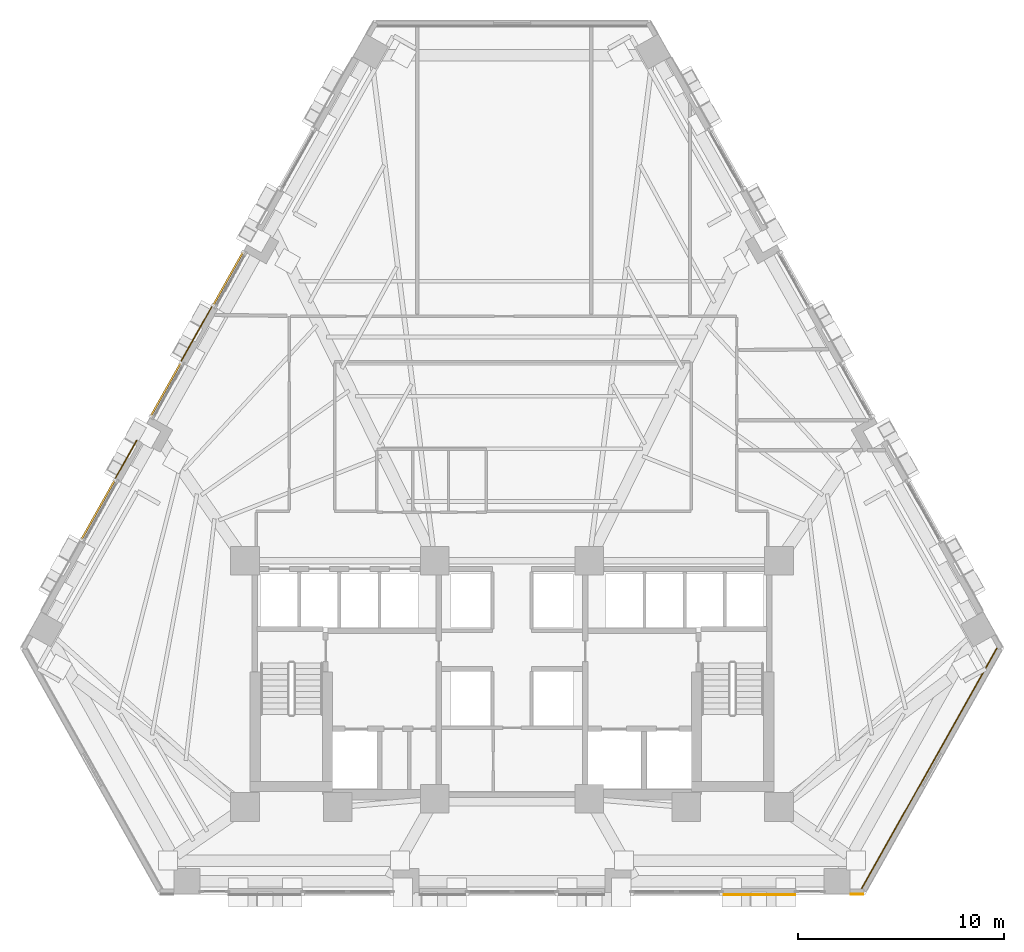
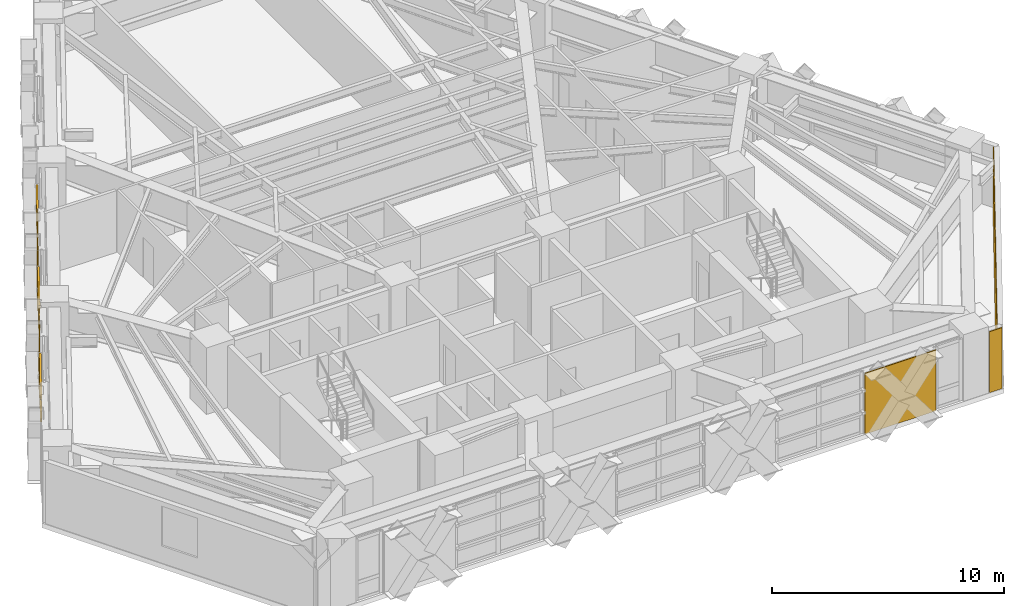
# One storey, part 12 of 14: 6 shading devices, 5 coverings.
"""IFC4 building model written with IfcOpenShell, lengths in metres."""

from ifc_helpers import new_model, si_unit, direction, frame, origin, origin_2d, place, context, subcontext, project, spatial, polyline, rectangle, outline, extrude, material, layer, layer_set, material_profile, profile_set, type_object, element, save


model = new_model("IFC4")

# Units and contexts
model_context = context("Model", 3, precision=1e-05, world=origin(), true_north=direction((0.0, 1.0)))
body_context = subcontext(model_context, "Body", "Model", "MODEL_VIEW")
ifc_project = project(units=[si_unit("LENGTHUNIT", "METRE"), si_unit("AREAUNIT", "SQUARE_METRE"), si_unit("VOLUMEUNIT", "CUBIC_METRE"), si_unit("PLANEANGLEUNIT", "RADIAN"), si_unit("MASSUNIT", "GRAM", prefix="KILO")], contexts=[model_context])

# Site, building, storey
site_placement = place(None, origin())
site = spatial("IfcSite", under=ifc_project, at=site_placement, CompositionType="ELEMENT")
building_placement = place(site_placement, origin())
building = spatial("IfcBuilding", under=site, at=building_placement, Name="Quenlor Broadcast Tower", CompositionType="ELEMENT")
storey_placement = place(building_placement, frame((0.0, 0.0, 73.10009765625)))
storey = spatial("IfcBuildingStorey", under=building, at=storey_placement, Name="L19", CompositionType="ELEMENT", Elevation=73.10009765625)

# Shading devices
ifc_material_1 = material(Name="Architectural Terracotta Ceramic", Category="masonry")
ifc_material_profile = material_profile(ifc_material_1, rectangle(XDim=0.090087890625, YDim=0.139892578125, at=origin_2d()))
ifc_profile_set = profile_set([ifc_material_profile], Name="Architectural Terracotta Ceramic BAG90x140")
shading_device_type = type_object("IfcShadingDeviceType", Name="Copper Terracotta Baguette Solar Screen 140", PredefinedType="USERDEFINED", material=ifc_profile_set)
for number, where, z_axis, x_axis, name in (
    (1, (-20.889404296875, -3.771484375, 1.169921875), (0.490289331496, 0.871559734855, 0.0), (-0.871559734855, 0.490289331496, 0.0), "L19 Terracotta Baguette Screen 1"),
    (2, (-20.889404296875, -3.771484375, 2.33984375), (0.490289331496, 0.871559734855, 0.0), (-0.871559734855, 0.490289331496, 0.0), "L19 Terracotta Baguette Screen 2"),
):
    element("IfcShadingDevice", number, at=place(storey_placement, frame(where, z_axis=z_axis, x_axis=x_axis)), inside=storey, type_object=shading_device_type, Name=name, ObjectType="BAGUETTE", PredefinedType="USERDEFINED", context=body_context, shape_type="SweptSolid", body=[
        extrude(rectangle(XDim=0.090087890625, YDim=0.139892578125, at=origin_2d()), origin(), (0.0, 0.0, 1.0), 3.301025390625),
    ])
for number, where, z_axis, x_axis, name in (
    (3, (-17.519775390625, 2.21923828125, 1.169921875), (0.490339873784, 0.871531300744, 0.0), (-0.871531300744, 0.490339873784, 0.0), "L19 Terracotta Baguette Screen 1"),
    (4, (-17.519775390625, 2.21923828125, 2.33984375), (0.490339873784, 0.871531300744, 0.0), (-0.871531300744, 0.490339873784, 0.0), "L19 Terracotta Baguette Screen 2"),
):
    element("IfcShadingDevice", number, at=place(storey_placement, frame(where, z_axis=z_axis, x_axis=x_axis)), inside=storey, type_object=shading_device_type, Name=name, ObjectType="BAGUETTE", PredefinedType="USERDEFINED", context=body_context, shape_type="SweptSolid", body=[
        extrude(rectangle(XDim=0.090087890625, YDim=0.139892578125, at=origin_2d()), origin(), (0.0, 0.0, 1.0), 2.947998046875),
    ])
for number, where, z_axis, x_axis, name in (
    (5, (-14.495849609375, 7.5947265625, 1.169921875), (0.490241581092, 0.871586594762, 0.0), (-0.871586594762, 0.490241581092, 0.0), "L19 Terracotta Baguette Screen 1"),
    (6, (-14.495849609375, 7.5947265625, 2.33984375), (0.490241581092, 0.871586594762, 0.0), (-0.871586594762, 0.490241581092, 0.0), "L19 Terracotta Baguette Screen 2"),
):
    element("IfcShadingDevice", number, at=place(storey_placement, frame(where, z_axis=z_axis, x_axis=x_axis)), inside=storey, type_object=shading_device_type, Name=name, ObjectType="BAGUETTE", PredefinedType="USERDEFINED", context=body_context, shape_type="SweptSolid", body=[
        extrude(rectangle(XDim=0.090087890625, YDim=0.139892578125, at=origin_2d()), origin(), (0.0, 0.0, 1.0), 2.9482421875),
    ])

# Coverings
ifc_material_2 = material(Name="Architectural Terracotta Ceramic", Category="masonry")
ifc_layer = layer(ifc_material_2, 0.044921875)
ifc_layer_set = layer_set([ifc_layer], Name="Fluted Terracotta Rainscreen Cladding Panel")
covering_type = type_object("IfcCoveringType", Name="Fluted Terracotta Rainscreen Cladding Panel", PredefinedType="CLADDING", material=ifc_layer_set)
covering_1_placement = place(storey_placement, frame((0.0, 0.0, 0.02001953125)))
element("IfcCovering", 7, at=covering_1_placement, inside=storey, type_object=covering_type, Name="L19 Terracotta Rainscreen Cladding L19-SHD-SS0", PredefinedType="CLADDING", context=body_context, shape_type="SweptSolid", body=[
    extrude(outline(polyline([(17.0458984375, -20.951904296875), (16.425048828125, -20.951904296875), (16.425048828125, -20.9970703125), (17.0458984375, -20.9970703125), (17.0458984375, -20.951904296875)])), origin(), (0.0, 0.0, 1.0), 3.2099609375),
])
covering_2_placement = place(storey_placement, frame((0.0, 0.0, 0.02001953125)))
element("IfcCovering", 8, at=covering_2_placement, inside=storey, type_object=covering_type, Name="L19 Terracotta Rainscreen Cladding L19-SA-SP1", PredefinedType="CLADDING", context=body_context, shape_type="SweptSolid", body=[
    extrude(outline(polyline([(13.73681640625, -20.98193359375), (10.20458984375, -20.98193359375), (10.20458984375, -21.027099609375), (13.73681640625, -21.027099609375), (13.73681640625, -20.98193359375)])), origin(), (0.0, 0.0, 1.0), 3.2099609375),
])
covering_3_placement = place(storey_placement, frame((0.0, 0.0, 0.02001953125)))
element("IfcCovering", 9, at=covering_3_placement, inside=storey, type_object=covering_type, Name="L19 Terracotta Rainscreen Cladding L19-NWA-SP2", PredefinedType="CLADDING", context=body_context, shape_type="SweptSolid", body=[
    extrude(outline(polyline([(-19.236083984375, -0.833984375), (-18.18798828125, 1.029052734375), (-18.227294921875, 1.051025390625), (-19.275146484375, -0.81201171875), (-19.236083984375, -0.833984375)])), origin(), (0.0, 0.0, 1.0), 3.2099609375),
])
covering_4_placement = place(storey_placement, frame((0.0, 0.0, 0.02001953125)))
element("IfcCovering", 10, at=covering_4_placement, inside=storey, type_object=covering_type, Name="L19 Terracotta Rainscreen Cladding L19-NW-SP1", PredefinedType="CLADDING", context=body_context, shape_type="SweptSolid", body=[
    extrude(outline(polyline([(-16.039306640625, 4.84912109375), (-14.529296875, 7.533203125), (-14.568603515625, 7.555419921875), (-16.078369140625, 4.87109375), (-16.039306640625, 4.84912109375)])), origin(), (0.0, 0.0, 1.0), 3.2099609375),
])
covering_5_placement = place(storey_placement, frame((0.0, 0.0, 0.02001953125)))
element("IfcCovering", 11, at=covering_5_placement, inside=storey, type_object=covering_type, Name="L19 Terracotta Rainscreen Cladding L19-CNR-06", PredefinedType="CLADDING", context=body_context, shape_type="SweptSolid", body=[
    extrude(outline(polyline([(16.98388671875, -20.71533203125), (23.547607421875, -9.046875), (23.50830078125, -9.02490234375), (16.94482421875, -20.693359375), (16.98388671875, -20.71533203125)])), origin(), (0.0, 0.0, 1.0), 3.2099609375),
])

save(model, "model.ifc")
